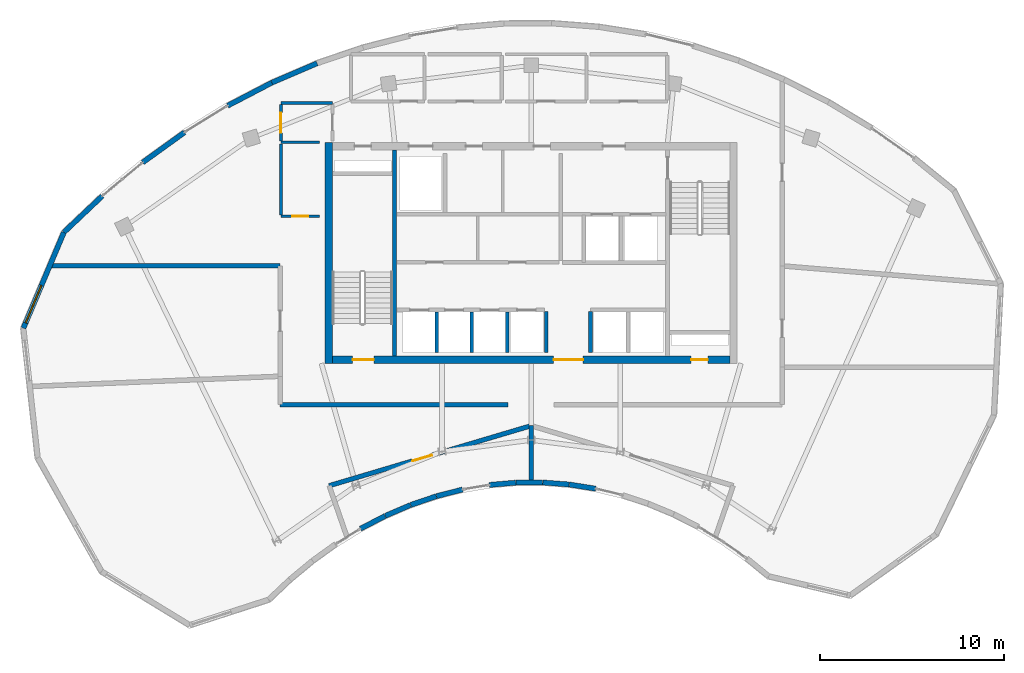
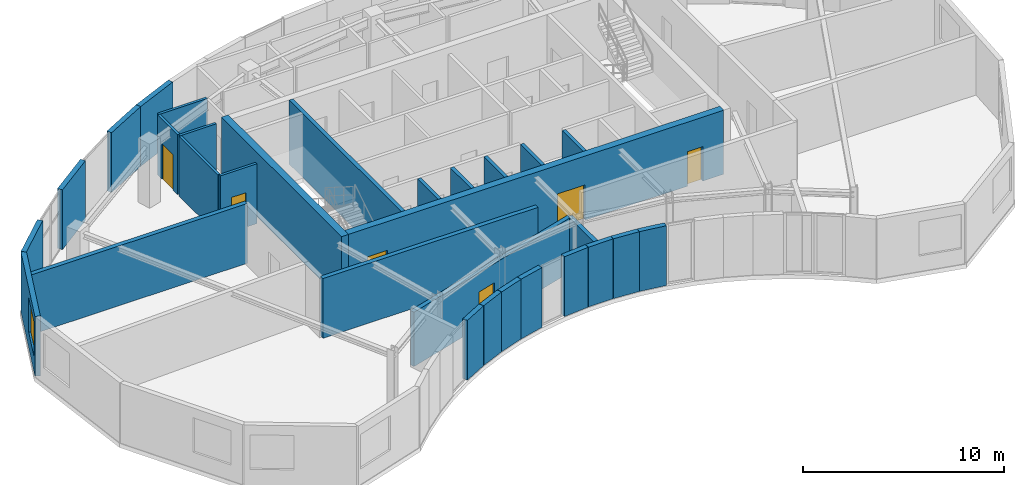
# One storey, part 5 of 9: 30 walls, 6 doors, 1 window, 7 openings.
"""IFC4 building model written with IfcOpenShell, lengths in metres."""

from ifc_helpers import new_model, si_unit, direction, frame, frame_2d, origin, place, context, subcontext, project, spatial, rectangle, extrude, source, transform, mapped, material, layer, layer_set, type_object, type_shapes, element, fill, save


model = new_model("IFC4")

# Units and contexts
model_context = context("Model", 3, precision=1e-05, world=origin(), true_north=direction((0.0, 1.0)))
body_context = subcontext(model_context, "Body", "Model", "MODEL_VIEW")
ifc_project = project(units=[si_unit("LENGTHUNIT", "METRE"), si_unit("AREAUNIT", "SQUARE_METRE"), si_unit("VOLUMEUNIT", "CUBIC_METRE"), si_unit("PLANEANGLEUNIT", "RADIAN"), si_unit("MASSUNIT", "GRAM", prefix="KILO")], contexts=[model_context])

# Site, building, storey
site_placement = place(None, origin())
site = spatial("IfcSite", under=ifc_project, at=site_placement, CompositionType="ELEMENT")
building_placement = place(site_placement, origin())
building = spatial("IfcBuilding", under=site, at=building_placement, Name="Breltana Convention Tower", CompositionType="ELEMENT")
storey_placement = place(building_placement, frame((0.0, 0.0, 299.10009765625)))
storey = spatial("IfcBuildingStorey", under=building, at=storey_placement, Name="L73", CompositionType="ELEMENT", Elevation=299.10009765625)

# Wall
ifc_material_1 = material(Name="Concrete C50/60", Category="concrete")
ifc_layer_1 = layer(ifc_material_1, 0.39990234375, Name="Concrete C50/60")
ifc_layer_set_1 = layer_set([ifc_layer_1], Name="Concrete C50/60")
wall_type_1 = type_object("IfcWallType", Name="SW-CORE-400", PredefinedType="SHEAR", material=ifc_layer_set_1)
shared_shape_1 = source(origin(), body_context, "Body", "SweptSolid", [
    extrude(rectangle(XDim=12.0, YDim=0.39990234375, at=frame_2d((6.0, 0.0))), origin(), (0.0, 0.0, 1.0), 3.89990234375),
])
wall_1_placement = place(storey_placement, frame((37.0, 60.199951171875, 0.0), z_axis=(0.0, 0.0, 1.0), x_axis=(0.0, 1.0, 0.0)))
element("IfcWall", 1, at=wall_1_placement, inside=storey, type_object=wall_type_1, Name="L73 West Core Shear Wall", PredefinedType="SHEAR", context=body_context, shape_type="MappedRepresentation", body=[
    mapped(shared_shape_1, transform((0.0, 0.0, 0.0), scale=1.0)),
])

# Wall, openings, doors
shared_shape_2 = source(origin(), body_context, "Body", "SweptSolid", [
    extrude(rectangle(XDim=21.60009765625, YDim=0.39990234375, at=frame_2d((10.800048828125, 0.0))), origin(), (0.0, 0.0, 1.0), 3.89990234375),
])
wall_2_placement = place(storey_placement, frame((37.199951171875, 60.39990234375, 0.0), z_axis=(0.0, 0.0, 1.0), x_axis=(1.0, 0.0, 0.0)))
wall_2 = element("IfcWall", 2, at=wall_2_placement, inside=storey, type_object=wall_type_1, Name="L73 South Core Shear Wall", PredefinedType="SHEAR", context=body_context, shape_type="MappedRepresentation", body=[
    mapped(shared_shape_2, transform((0.0, 0.0, 0.0), scale=1.0)),
])
opening_1_placement = place(wall_2_placement, frame((1.10009765625, 0.0, 0.0)))
opening_1 = element("IfcOpeningElement", 3, at=opening_1_placement, cuts=wall_2, Name="Opening D-11", PredefinedType="OPENING", context=body_context, shape_type="SweptSolid", body=[
    extrude(rectangle(XDim=1.14990234375, YDim=2.14990234375, at=frame_2d((0.574951171875, 1.074951171875))), frame((0.0, 0.2099609375, 0.0), z_axis=(0.0, -1.0, 0.0), x_axis=(1.0, 0.0, 0.0)), (0.0, 0.0, 1.0), 0.419921875),
])
opening_2_placement = place(wall_2_placement, frame((19.5, 0.0, 0.0)))
opening_2 = element("IfcOpeningElement", 4, at=opening_2_placement, cuts=wall_2, Name="Opening D-18", PredefinedType="OPENING", context=body_context, shape_type="SweptSolid", body=[
    extrude(rectangle(XDim=0.89990234375, YDim=2.10009765625, at=frame_2d((0.449951171875, 1.050048828125))), frame((0.0, 0.2099609375, 0.0), z_axis=(0.0, -1.0, 0.0), x_axis=(1.0, 0.0, 0.0)), (0.0, 0.0, 1.0), 0.419921875),
])
opening_3_placement = place(wall_2_placement, frame((12.02001953125, 0.0, 0.0)))
opening_3 = element("IfcOpeningElement", 5, at=opening_3_placement, cuts=wall_2, Name="Opening D-02", PredefinedType="OPENING", context=body_context, shape_type="SweptSolid", body=[
    extrude(rectangle(XDim=1.60009765625, YDim=2.14990234375, at=frame_2d((0.800048828125, 1.074951171875))), frame((0.0, 0.2099609375, 0.0), z_axis=(0.0, -1.0, 0.0), x_axis=(1.0, 0.0, 0.0)), (0.0, 0.0, 1.0), 0.419921875),
])
ifc_material_2 = material(Name="Steel Stair Exit Door", Category="steel")
door_type_1 = type_object("IfcDoorType", Name="DR-FD120-1150", OperationType="NOTDEFINED", PredefinedType="DOOR", material=ifc_material_2)
shared_shape_3 = source(origin(), body_context, "Body", "SweptSolid", [
    extrude(rectangle(XDim=1.14990234375, YDim=2.14990234375, at=frame_2d((0.574951171875, 1.074951171875))), frame((0.0, 0.02490234375, 0.0), z_axis=(0.0, -1.0, 0.0), x_axis=(1.0, 0.0, 0.0)), (0.0, 0.0, 1.0), 0.050048828125),
])
type_shapes(door_type_1, [shared_shape_3])
door_1_placement = place(opening_1_placement, origin())
door_1 = element("IfcDoor", 6, at=door_1_placement, inside=storey, type_object=door_type_1, Name="L73 interior door D-L73-ST1", OperationType="SINGLE_SWING_LEFT", OverallHeight=2.14990234375, OverallWidth=1.14990234375, PredefinedType="DOOR", context=body_context, shape_type="MappedRepresentation", body=[
    mapped(shared_shape_3, transform((0.0, 0.0, 0.0), scale=1.0)),
])
fill(opening_1, door_1)
ifc_material_3 = material(Name="Steel Riser Fire Door", Category="steel")
door_type_2 = type_object("IfcDoorType", Name="DR-FD60-900", OperationType="NOTDEFINED", PredefinedType="DOOR", material=ifc_material_3)
shared_shape_4 = source(origin(), body_context, "Body", "SweptSolid", [
    extrude(rectangle(XDim=0.89990234375, YDim=2.10009765625, at=frame_2d((0.449951171875, 1.050048828125))), frame((0.0, 0.02490234375, 0.0), z_axis=(0.0, -1.0, 0.0), x_axis=(1.0, 0.0, 0.0)), (0.0, 0.0, 1.0), 0.050048828125),
])
type_shapes(door_type_2, [shared_shape_4])
door_2_placement = place(opening_2_placement, origin())
door_2 = element("IfcDoor", 7, at=door_2_placement, inside=storey, type_object=door_type_2, Name="L73 Core Riser Access Door D-L73-RS2", OperationType="SINGLE_SWING_RIGHT", OverallHeight=2.10009765625, OverallWidth=0.89990234375, PredefinedType="DOOR", context=body_context, shape_type="MappedRepresentation", body=[
    mapped(shared_shape_4, transform((0.0, 0.0, 0.0), scale=1.0)),
])
fill(opening_2, door_2)
ifc_material_4 = material(Name="Steel Glazed Smoke-Control Door", Category="steel")
door_type_3 = type_object("IfcDoorType", Name="DR-DBL-FD90-1600", OperationType="DOUBLE_DOOR_SINGLE_SWING", PredefinedType="DOOR", material=ifc_material_4)
shared_shape_5 = source(origin(), body_context, "Body", "SweptSolid", [
    extrude(rectangle(XDim=1.60009765625, YDim=2.14990234375, at=frame_2d((0.800048828125, 1.074951171875))), frame((0.0, 0.02490234375, 0.0), z_axis=(0.0, -1.0, 0.0), x_axis=(1.0, 0.0, 0.0)), (0.0, 0.0, 1.0), 0.050048828125),
])
type_shapes(door_type_3, [shared_shape_5])
door_3_placement = place(opening_3_placement, origin())
door_3 = element("IfcDoor", 8, at=door_3_placement, inside=storey, type_object=door_type_3, Name="L73 interior door D-L73-LLB-S", OperationType="DOUBLE_DOOR_SINGLE_SWING", OverallHeight=2.14990234375, OverallWidth=1.60009765625, PredefinedType="DOOR", context=body_context, shape_type="MappedRepresentation", body=[
    mapped(shared_shape_5, transform((0.0, 0.0, 0.0), scale=1.0)),
])
fill(opening_3, door_3)

# Walls
shared_shape_6 = source(origin(), body_context, "Body", "SweptSolid", [
    extrude(rectangle(XDim=11.199951171875, YDim=0.219970703125, at=frame_2d((5.60009765625, 0.0))), origin(), (0.0, 0.0, 1.0), 3.89990234375),
])
wall_3_placement = place(storey_placement, frame((40.580078125, 60.60009765625, 0.0), z_axis=(0.0, 0.0, 1.0), x_axis=(0.0, 1.0, 0.0)))
element("IfcWall", 9, at=wall_3_placement, inside=storey, type_object=wall_type_1, Name="L73 Core West Stair Spine Wall", PredefinedType="SHEAR", context=body_context, shape_type="MappedRepresentation", body=[
    mapped(shared_shape_6, transform((0.0, 0.0, 0.0), scale=1.0)),
])
ifc_material_5 = material(Name="Limestone Buff Insulated Wall", Category="masonry")
ifc_layer_2 = layer(ifc_material_5, 0.280029296875, Name="Limestone Buff Insulated Wall")
ifc_layer_set_2 = layer_set([ifc_layer_2], Name="Limestone Buff Insulated Wall")
wall_type_2 = type_object("IfcWallType", Name="WL-EXT-NOSE-280", PredefinedType="SOLIDWALL", material=ifc_layer_set_2)
shared_shape_7 = source(origin(), body_context, "Body", "SweptSolid", [
    extrude(rectangle(XDim=1.446044921875, YDim=0.280029296875, at=frame_2d((0.72314453125, 0.0))), origin(), (0.0, 0.0, 1.0), 3.639892578125),
])
wall_4_placement = place(storey_placement, frame((51.509033203125, 53.38818359375, 0.0), z_axis=(0.0, 0.0, 1.0), x_axis=(-0.987650460941, 0.156673440642, 0.0)))
element("IfcWall", 10, at=wall_4_placement, inside=storey, type_object=wall_type_2, Name="L73 curved limestone nose wall E10", PredefinedType="SOLIDWALL", context=body_context, shape_type="MappedRepresentation", body=[
    mapped(shared_shape_7, transform((0.0, 0.0, 0.0), scale=1.0)),
])
shared_shape_8 = source(origin(), body_context, "Body", "SweptSolid", [
    extrude(rectangle(XDim=1.440185546875, YDim=0.280029296875, at=frame_2d((0.72021484375, 0.0))), origin(), (0.0, 0.0, 1.0), 3.639892578125),
])
wall_5_placement = place(storey_placement, frame((50.066162109375, 53.616455078125, 0.0), z_axis=(0.0, 0.0, 1.0), x_axis=(-0.997124860794, 0.075776064736, 0.0)))
element("IfcWall", 11, at=wall_5_placement, inside=storey, type_object=wall_type_2, Name="L73 curved limestone nose wall E11", PredefinedType="SOLIDWALL", context=body_context, shape_type="MappedRepresentation", body=[
    mapped(shared_shape_8, transform((0.0, 0.0, 0.0), scale=1.0)),
])
shared_shape_9 = source(origin(), body_context, "Body", "SweptSolid", [
    extrude(rectangle(XDim=1.4384765625, YDim=0.280029296875, at=frame_2d((0.71923828125, 0.0))), origin(), (0.0, 0.0, 1.0), 3.639892578125),
])
wall_6_placement = place(storey_placement, frame((48.615478515625, 53.726318359375, 0.0), z_axis=(0.0, 0.0, 1.0), x_axis=(-0.999982357135, -0.005940153174, 0.0)))
element("IfcWall", 12, at=wall_6_placement, inside=storey, type_object=wall_type_2, Name="L73 curved limestone nose wall E12", PredefinedType="SOLIDWALL", context=body_context, shape_type="MappedRepresentation", body=[
    mapped(shared_shape_9, transform((0.0, 0.0, 0.0), scale=1.0)),
])
shared_shape_10 = source(origin(), body_context, "Body", "SweptSolid", [
    extrude(rectangle(XDim=1.44091796875, YDim=0.280029296875, at=frame_2d((0.720458984375, 0.0))), origin(), (0.0, 0.0, 1.0), 3.639892578125),
])
wall_7_placement = place(storey_placement, frame((47.162353515625, 53.717041015625, 0.0), z_axis=(0.0, 0.0, 1.0), x_axis=(-0.99617032352, -0.087433898101, 0.0)))
element("IfcWall", 13, at=wall_7_placement, inside=storey, type_object=wall_type_2, Name="L73 curved limestone nose wall E13", PredefinedType="SOLIDWALL", context=body_context, shape_type="MappedRepresentation", body=[
    mapped(shared_shape_10, transform((0.0, 0.0, 0.0), scale=1.0)),
])
shared_shape_11 = source(origin(), body_context, "Body", "SweptSolid", [
    extrude(rectangle(XDim=1.4580078125, YDim=0.280029296875, at=frame_2d((0.72900390625, 0.0))), origin(), (0.0, 0.0, 1.0), 3.639892578125),
])
wall_8_placement = place(storey_placement, frame((44.271484375, 53.343017578125, 0.0), z_axis=(0.0, 0.0, 1.0), x_axis=(-0.969109544438, -0.246630677083, 0.0)))
element("IfcWall", 14, at=wall_8_placement, inside=storey, type_object=wall_type_2, Name="L73 curved limestone nose wall E14", PredefinedType="SOLIDWALL", context=body_context, shape_type="MappedRepresentation", body=[
    mapped(shared_shape_11, transform((0.0, 0.0, 0.0), scale=1.0)),
])
shared_shape_12 = source(origin(), body_context, "Body", "SweptSolid", [
    extrude(rectangle(XDim=1.47265625, YDim=0.280029296875, at=frame_2d((0.736328125, 0.0))), origin(), (0.0, 0.0, 1.0), 3.639892578125),
])
wall_9_placement = place(storey_placement, frame((42.8447265625, 52.9794921875, 0.0), z_axis=(0.0, 0.0, 1.0), x_axis=(-0.946641296917, -0.322289086026, 0.0)))
element("IfcWall", 15, at=wall_9_placement, inside=storey, type_object=wall_type_2, Name="L73 curved limestone nose wall E15", PredefinedType="SOLIDWALL", context=body_context, shape_type="MappedRepresentation", body=[
    mapped(shared_shape_12, transform((0.0, 0.0, 0.0), scale=1.0)),
])
shared_shape_13 = source(origin(), body_context, "Body", "SweptSolid", [
    extrude(rectangle(XDim=1.490478515625, YDim=0.280029296875, at=frame_2d((0.7451171875, 0.0))), origin(), (0.0, 0.0, 1.0), 3.639892578125),
])
wall_10_placement = place(storey_placement, frame((41.437744140625, 52.5, 0.0), z_axis=(0.0, 0.0, 1.0), x_axis=(-0.919009427656, -0.394235553799, 0.0)))
element("IfcWall", 16, at=wall_10_placement, inside=storey, type_object=wall_type_2, Name="L73 curved limestone nose wall E16", PredefinedType="SOLIDWALL", context=body_context, shape_type="MappedRepresentation", body=[
    mapped(shared_shape_13, transform((0.0, 0.0, 0.0), scale=1.0)),
])
shared_shape_14 = source(origin(), body_context, "Body", "SweptSolid", [
    extrude(rectangle(XDim=1.51171875, YDim=0.280029296875, at=frame_2d((0.755859375, 0.0))), origin(), (0.0, 0.0, 1.0), 3.639892578125),
])
wall_11_placement = place(storey_placement, frame((40.0556640625, 51.906494140625, 0.0), z_axis=(0.0, 0.0, 1.0), x_axis=(-0.886841011195, -0.462074691865, 0.0)))
element("IfcWall", 17, at=wall_11_placement, inside=storey, type_object=wall_type_2, Name="L73 curved limestone nose wall E17", PredefinedType="SOLIDWALL", context=body_context, shape_type="MappedRepresentation", body=[
    mapped(shared_shape_14, transform((0.0, 0.0, 0.0), scale=1.0)),
])

# Wall, opening, window
shared_shape_15 = source(origin(), body_context, "Body", "SweptSolid", [
    extrude(rectangle(XDim=5.655029296875, YDim=0.280029296875, at=frame_2d((2.82763671875, 0.0))), origin(), (0.0, 0.0, 1.0), 3.639892578125),
])
wall_12_placement = place(storey_placement, frame((20.40087890625, 62.11572265625, 0.0), z_axis=(0.0, 0.0, 1.0), x_axis=(0.389585063528, 0.920990487614, 0.0)))
wall_12 = element("IfcWall", 18, at=wall_12_placement, inside=storey, type_object=wall_type_2, Name="L73 curved limestone nose wall W6", PredefinedType="SOLIDWALL", context=body_context, shape_type="MappedRepresentation", body=[
    mapped(shared_shape_15, transform((0.0, 0.0, 0.0), scale=1.0)),
])
opening_4_placement = place(wall_12_placement, frame((0.313720703125, 0.0, 0.949951171875)))
opening_4 = element("IfcOpeningElement", 19, at=opening_4_placement, cuts=wall_12, Name="Opening W-03", PredefinedType="OPENING", context=body_context, shape_type="SweptSolid", body=[
    extrude(rectangle(XDim=2.199951171875, YDim=2.10009765625, at=frame_2d((1.10009765625, 1.050048828125))), frame((0.0, 0.14990234375, 0.0), z_axis=(0.0, -1.0, 0.0), x_axis=(1.0, 0.0, 0.0)), (0.0, 0.0, 1.0), 0.300048828125),
])
ifc_material_6 = material(Name="Glass Low-E Insulated Window", Category="glass")
window_type = type_object("IfcWindowType", Name="WN-NOSE-2200X2100", PartitioningType="TRIPLE_PANEL_VERTICAL", PredefinedType="WINDOW", material=ifc_material_6)
shared_shape_16 = source(origin(), body_context, "Body", "SweptSolid", [
    extrude(rectangle(XDim=2.199951171875, YDim=2.10009765625, at=frame_2d((1.10009765625, 1.050048828125))), frame((0.0, 0.030029296875, 0.0), z_axis=(0.0, -1.0, 0.0), x_axis=(1.0, 0.0, 0.0)), (0.0, 0.0, 1.0), 0.06005859375),
])
type_shapes(window_type, [shared_shape_16])
window_placement = place(opening_4_placement, origin())
window = element("IfcWindow", 20, at=window_placement, inside=storey, type_object=window_type, Name="L73 nose window W6", OverallHeight=2.10009765625, OverallWidth=2.199951171875, PartitioningType="TRIPLE_PANEL_VERTICAL", PredefinedType="WINDOW", context=body_context, shape_type="MappedRepresentation", body=[
    mapped(shared_shape_16, transform((0.0, 0.0, 0.0), scale=1.0)),
])
fill(opening_4, window)

# Walls
shared_shape_17 = source(origin(), body_context, "Body", "SweptSolid", [
    extrude(rectangle(XDim=2.87255859375, YDim=0.280029296875, at=frame_2d((1.436279296875, 0.0))), origin(), (0.0, 0.0, 1.0), 3.639892578125),
])
wall_13_placement = place(storey_placement, frame((22.60400390625, 67.323974609375, 0.0), z_axis=(0.0, 0.0, 1.0), x_axis=(0.72609560544, 0.687593754888, 0.0)))
element("IfcWall", 21, at=wall_13_placement, inside=storey, type_object=wall_type_2, Name="L73 curved limestone nose wall W7", PredefinedType="SOLIDWALL", context=body_context, shape_type="MappedRepresentation", body=[
    mapped(shared_shape_17, transform((0.0, 0.0, 0.0), scale=1.0)),
])
shared_shape_18 = source(origin(), body_context, "Body", "SweptSolid", [
    extrude(rectangle(XDim=2.8017578125, YDim=0.280029296875, at=frame_2d((1.40087890625, 0.0))), origin(), (0.0, 0.0, 1.0), 3.639892578125),
])
wall_14_placement = place(storey_placement, frame((26.88525390625, 71.11962890625, 0.0), z_axis=(0.0, 0.0, 1.0), x_axis=(0.811507896482, 0.584341453217, 0.0)))
element("IfcWall", 22, at=wall_14_placement, inside=storey, type_object=wall_type_2, Name="L73 curved limestone nose wall E20", PredefinedType="SOLIDWALL", context=body_context, shape_type="MappedRepresentation", body=[
    mapped(shared_shape_18, transform((0.0, 0.0, 0.0), scale=1.0)),
])
shared_shape_19 = source(origin(), body_context, "Body", "SweptSolid", [
    extrude(rectangle(XDim=2.71142578125, YDim=0.280029296875, at=frame_2d((1.355712890625, 0.0))), origin(), (0.0, 0.0, 1.0), 3.639892578125),
])
wall_15_placement = place(storey_placement, frame((31.50244140625, 74.20458984375, 0.0), z_axis=(0.0, 0.0, 1.0), x_axis=(0.886828760751, 0.462098202881, 0.0)))
element("IfcWall", 23, at=wall_15_placement, inside=storey, type_object=wall_type_2, Name="L73 curved limestone nose wall E21", PredefinedType="SOLIDWALL", context=body_context, shape_type="MappedRepresentation", body=[
    mapped(shared_shape_19, transform((0.0, 0.0, 0.0), scale=1.0)),
])
shared_shape_20 = source(origin(), body_context, "Body", "SweptSolid", [
    extrude(rectangle(XDim=2.67333984375, YDim=0.280029296875, at=frame_2d((1.336669921875, 0.0))), origin(), (0.0, 0.0, 1.0), 3.639892578125),
])
wall_16_placement = place(storey_placement, frame((33.906982421875, 75.45751953125, 0.0), z_axis=(0.0, 0.0, 1.0), x_axis=(0.919036345912, 0.394172798266, 0.0)))
element("IfcWall", 24, at=wall_16_placement, inside=storey, type_object=wall_type_2, Name="L73 curved limestone nose wall E22", PredefinedType="SOLIDWALL", context=body_context, shape_type="MappedRepresentation", body=[
    mapped(shared_shape_20, transform((0.0, 0.0, 0.0), scale=1.0)),
])
ifc_material_7 = material(Name="Autoclaved Aerated Concrete Block", Category="concrete")
ifc_layer_3 = layer(ifc_material_7, 0.199951171875, Name="Autoclaved Aerated Concrete Block")
ifc_layer_set_3 = layer_set([ifc_layer_3], Name="Autoclaved Aerated Concrete Block")
wall_type_3 = type_object("IfcWallType", Name="WL-SHAFT-200", PredefinedType="SOLIDWALL", material=ifc_layer_set_3)
shared_shape_21 = source(origin(), body_context, "Body", "SweptSolid", [
    extrude(rectangle(XDim=2.239990234375, YDim=0.199951171875, at=frame_2d((1.1201171875, 0.0))), origin(), (0.0, 0.0, 1.0), 3.639892578125),
])
for number, where, z_axis, x_axis, name in (
    (25, (48.820068359375, 60.780029296875, 0.0), (0.0, 0.0, 1.0), (0.0, 1.0, 0.0), "L73 interior partition W-L73-PORT-W"),
    (26, (51.219970703125, 60.780029296875, 0.0), (0.0, 0.0, 1.0), (0.0, 1.0, 0.0), "L73 interior partition W-L73-PORT-E"),
):
    element("IfcWall", number, at=place(storey_placement, frame(where, z_axis=z_axis, x_axis=x_axis)), inside=storey, type_object=wall_type_3, Name=name, PredefinedType="SOLIDWALL", context=body_context, shape_type="MappedRepresentation", body=[
        mapped(shared_shape_21, transform((0.0, 0.0, 0.0), scale=1.0)),
    ])
shared_shape_22 = source(origin(), body_context, "Body", "SweptSolid", [
    extrude(rectangle(XDim=2.199951171875, YDim=0.199951171875, at=frame_2d((1.10009765625, 0.0))), origin(), (0.0, 0.0, 1.0), 3.639892578125),
])
for number, where, z_axis, x_axis, name in (
    (27, (42.8701171875, 60.800048828125, 0.0), (0.0, 0.0, 1.0), (0.0, 1.0, 0.0), "L73 interior partition W-L73-SH-S-DIV1"),
    (28, (44.77001953125, 60.800048828125, 0.0), (0.0, 0.0, 1.0), (0.0, 1.0, 0.0), "L73 interior partition W-L73-SH-S-DIV2"),
    (29, (46.699951171875, 60.800048828125, 0.0), (0.0, 0.0, 1.0), (0.0, 1.0, 0.0), "L73 interior partition W-L73-SH-S-DIV3"),
):
    element("IfcWall", number, at=place(storey_placement, frame(where, z_axis=z_axis, x_axis=x_axis)), inside=storey, type_object=wall_type_3, Name=name, PredefinedType="SOLIDWALL", context=body_context, shape_type="MappedRepresentation", body=[
        mapped(shared_shape_22, transform((0.0, 0.0, 0.0), scale=1.0)),
    ])
ifc_material_8 = material(Name="Gypsum Acoustic Drywall Partition")
ifc_layer_4 = layer(ifc_material_8, 0.14990234375, Name="Gypsum Acoustic Drywall Partition")
ifc_layer_set_4 = layer_set([ifc_layer_4], Name="Gypsum Acoustic Drywall Partition")
wall_type_4 = type_object("IfcWallType", Name="WL-PART-150", PredefinedType="PARTITIONING", material=ifc_layer_set_4)
shared_shape_23 = source(origin(), body_context, "Body", "SweptSolid", [
    extrude(rectangle(XDim=2.10009765625, YDim=0.14990234375, at=frame_2d((1.050048828125, 0.0))), origin(), (0.0, 0.0, 1.0), 3.639892578125),
])
wall_17_placement = place(storey_placement, frame((34.39990234375, 72.219970703125, 0.0), z_axis=(0.0, 0.0, 1.0), x_axis=(1.0, 0.0, 0.0)))
element("IfcWall", 30, at=wall_17_placement, inside=storey, type_object=wall_type_4, Name="L73 interior partition W-L73-CRNW-S", PredefinedType="PARTITIONING", context=body_context, shape_type="MappedRepresentation", body=[
    mapped(shared_shape_23, transform((0.0, 0.0, 0.0), scale=1.0)),
])

# Wall, opening, door
wall_18_placement = place(storey_placement, frame((34.39990234375, 68.199951171875, 0.0), z_axis=(0.0, 0.0, 1.0), x_axis=(1.0, 0.0, 0.0)))
wall_18 = element("IfcWall", 31, at=wall_18_placement, inside=storey, type_object=wall_type_4, Name="L73 interior partition W-L73-CRSW-S", PredefinedType="PARTITIONING", context=body_context, shape_type="MappedRepresentation", body=[
    mapped(shared_shape_23, transform((0.0, 0.0, 0.0), scale=1.0)),
])
opening_5_placement = place(wall_18_placement, frame((0.625, 0.0, 0.0)))
opening_5 = element("IfcOpeningElement", 32, at=opening_5_placement, cuts=wall_18, Name="Opening D-20", PredefinedType="OPENING", context=body_context, shape_type="SweptSolid", body=[
    extrude(rectangle(XDim=0.85009765625, YDim=2.10009765625, at=frame_2d((0.425048828125, 1.050048828125))), frame((0.0, 0.0849609375, 0.0), z_axis=(0.0, -1.0, 0.0), x_axis=(1.0, 0.0, 0.0)), (0.0, 0.0, 1.0), 0.169921875),
])
ifc_material_9 = material(Name="Steel Closet Fire Door", Category="steel")
door_type_4 = type_object("IfcDoorType", Name="DR-FD60-850", OperationType="NOTDEFINED", PredefinedType="DOOR", material=ifc_material_9)
shared_shape_24 = source(origin(), body_context, "Body", "SweptSolid", [
    extrude(rectangle(XDim=0.85009765625, YDim=2.10009765625, at=frame_2d((0.425048828125, 1.050048828125))), frame((0.0, 0.02490234375, 0.0), z_axis=(0.0, -1.0, 0.0), x_axis=(1.0, 0.0, 0.0)), (0.0, 0.0, 1.0), 0.050048828125),
])
type_shapes(door_type_4, [shared_shape_24])
door_4_placement = place(opening_5_placement, origin())
door_4 = element("IfcDoor", 33, at=door_4_placement, inside=storey, type_object=door_type_4, Name="L73 interior door D-L73-CRSW", OperationType="SINGLE_SWING_RIGHT", OverallHeight=2.10009765625, OverallWidth=0.85009765625, PredefinedType="DOOR", context=body_context, shape_type="MappedRepresentation", body=[
    mapped(shared_shape_24, transform((0.0, 0.0, 0.0), scale=1.0)),
])
fill(opening_5, door_4)

# Wall
shared_shape_25 = source(origin(), body_context, "Body", "SweptSolid", [
    extrude(rectangle(XDim=2.800048828125, YDim=0.14990234375, at=frame_2d((1.39990234375, 0.0))), origin(), (0.0, 0.0, 1.0), 3.639892578125),
])
wall_19_placement = place(storey_placement, frame((34.39990234375, 74.35009765625, 0.0), z_axis=(0.0, 0.0, 1.0), x_axis=(1.0, 0.0, 0.0)))
element("IfcWall", 34, at=wall_19_placement, inside=storey, type_object=wall_type_4, Name="L73 interior partition W-L73-CRNW-N", PredefinedType="PARTITIONING", context=body_context, shape_type="MappedRepresentation", body=[
    mapped(shared_shape_25, transform((0.0, 0.0, 0.0), scale=1.0)),
])

# Wall, opening, door
shared_shape_26 = source(origin(), body_context, "Body", "SweptSolid", [
    extrude(rectangle(XDim=1.994873046875, YDim=0.14990234375, at=frame_2d((0.99755859375, 0.0))), origin(), (0.0, 0.0, 1.0), 3.639892578125),
])
wall_20_placement = place(storey_placement, frame((34.39990234375, 72.28759765625, 0.0), z_axis=(0.0, 0.0, 1.0), x_axis=(0.0, 1.0, 0.0)))
wall_20 = element("IfcWall", 35, at=wall_20_placement, inside=storey, type_object=wall_type_4, Name="L73 interior partition W-L73-CRNW-W", PredefinedType="PARTITIONING", context=body_context, shape_type="MappedRepresentation", body=[
    mapped(shared_shape_26, transform((0.0, 0.0, 0.0), scale=1.0)),
])
opening_6_placement = place(wall_20_placement, frame((0.447509765625, 0.0, 0.0)))
opening_6 = element("IfcOpeningElement", 36, at=opening_6_placement, cuts=wall_20, Name="Opening D-12", PredefinedType="OPENING", context=body_context, shape_type="SweptSolid", body=[
    extrude(rectangle(XDim=1.10009765625, YDim=2.14990234375, at=frame_2d((0.550048828125, 1.074951171875))), frame((0.0, 0.0849609375, 0.0), z_axis=(0.0, -1.0, 0.0), x_axis=(1.0, 0.0, 0.0)), (0.0, 0.0, 1.0), 0.169921875),
])
ifc_material_10 = material(Name="Timber Oak Acoustic Door", Category="wood")
door_type_5 = type_object("IfcDoorType", Name="DR-INT-1100", OperationType="NOTDEFINED", PredefinedType="DOOR", material=ifc_material_10)
shared_shape_27 = source(origin(), body_context, "Body", "SweptSolid", [
    extrude(rectangle(XDim=1.10009765625, YDim=2.14990234375, at=frame_2d((0.550048828125, 1.074951171875))), frame((0.0, 0.02490234375, 0.0), z_axis=(0.0, -1.0, 0.0), x_axis=(1.0, 0.0, 0.0)), (0.0, 0.0, 1.0), 0.050048828125),
])
type_shapes(door_type_5, [shared_shape_27])
door_5_placement = place(opening_6_placement, origin())
door_5 = element("IfcDoor", 37, at=door_5_placement, inside=storey, type_object=door_type_5, Name="L73 interior door D-L73-EXW3", OperationType="SINGLE_SWING_LEFT", OverallHeight=2.14990234375, OverallWidth=1.10009765625, PredefinedType="DOOR", context=body_context, shape_type="MappedRepresentation", body=[
    mapped(shared_shape_27, transform((0.0, 0.0, 0.0), scale=1.0)),
])
fill(opening_6, door_5)

# Wall
shared_shape_28 = source(origin(), body_context, "Body", "SweptSolid", [
    extrude(rectangle(XDim=3.844970703125, YDim=0.14990234375, at=frame_2d((1.92236328125, 0.0))), origin(), (0.0, 0.0, 1.0), 3.639892578125),
])
wall_21_placement = place(storey_placement, frame((34.39990234375, 68.267578125, 0.0), z_axis=(0.0, 0.0, 1.0), x_axis=(0.0, 1.0, 0.0)))
element("IfcWall", 38, at=wall_21_placement, inside=storey, type_object=wall_type_4, Name="L73 interior partition W-L73-CRSW-W", PredefinedType="PARTITIONING", context=body_context, shape_type="MappedRepresentation", body=[
    mapped(shared_shape_28, transform((0.0, 0.0, 0.0), scale=1.0)),
])

# Wall, opening, door
ifc_material_11 = material(Name="Gypsum Acoustic Double Stud Wall")
ifc_layer_5 = layer(ifc_material_11, 0.25, Name="Gypsum Acoustic Double Stud Wall")
ifc_layer_set_5 = layer_set([ifc_layer_5], Name="Gypsum Acoustic Double Stud Wall")
wall_type_5 = type_object("IfcWallType", Name="WL-ACOUSTIC-250", PredefinedType="PARTITIONING", material=ifc_layer_set_5)
shared_shape_29 = source(origin(), body_context, "Body", "SweptSolid", [
    extrude(rectangle(XDim=11.453857421875, YDim=0.25, at=frame_2d((5.72705078125, 0.0))), origin(), (0.0, 0.0, 1.0), 3.31396484375),
])
wall_22_placement = place(storey_placement, frame((37.0205078125, 53.551513671875, 0.0), z_axis=(0.0, 0.0, 1.0), x_axis=(0.958594874645, 0.284773359541, 0.0)))
wall_22 = element("IfcWall", 39, at=wall_22_placement, inside=storey, type_object=wall_type_5, Name="L73 interior partition W-L73-ES1-COR", PredefinedType="PARTITIONING", context=body_context, shape_type="MappedRepresentation", body=[
    mapped(shared_shape_29, transform((0.0, 0.0, 0.0), scale=1.0)),
])
opening_7_placement = place(wall_22_placement, frame((4.726806640625, 0.0, 0.0)))
opening_7 = element("IfcOpeningElement", 40, at=opening_7_placement, cuts=wall_22, Name="Opening D-12", PredefinedType="OPENING", context=body_context, shape_type="SweptSolid", body=[
    extrude(rectangle(XDim=1.10009765625, YDim=2.14990234375, at=frame_2d((0.550048828125, 1.074951171875))), frame((0.0, 0.135009765625, 0.0), z_axis=(0.0, -1.0, 0.0), x_axis=(1.0, 0.0, 0.0)), (0.0, 0.0, 1.0), 0.27001953125),
])
door_6_placement = place(opening_7_placement, origin())
door_6 = element("IfcDoor", 41, at=door_6_placement, inside=storey, type_object=door_type_5, Name="L73 interior door D-L73-ES1", OperationType="SINGLE_SWING_LEFT", OverallHeight=2.14990234375, OverallWidth=1.10009765625, PredefinedType="DOOR", context=body_context, shape_type="MappedRepresentation", body=[
    mapped(shared_shape_27, transform((0.0, 0.0, 0.0), scale=1.0)),
])
fill(opening_7, door_6)

# Walls
shared_shape_30 = source(origin(), body_context, "Body", "SweptSolid", [
    extrude(rectangle(XDim=3.08056640625, YDim=0.25, at=frame_2d((1.540283203125, 0.0))), origin(), (0.0, 0.0, 1.0), 3.31396484375),
])
wall_23_placement = place(storey_placement, frame((48.0, 53.732666015625, 0.0), z_axis=(0.0, 0.0, 1.0), x_axis=(0.0, 1.0, 0.0)))
element("IfcWall", 42, at=wall_23_placement, inside=storey, type_object=wall_type_5, Name="L73 interior partition W-L73-ES1-RB", PredefinedType="PARTITIONING", context=body_context, shape_type="MappedRepresentation", body=[
    mapped(shared_shape_30, transform((0.0, 0.0, 0.0), scale=1.0)),
])
shared_shape_31 = source(origin(), body_context, "Body", "SweptSolid", [
    extrude(rectangle(XDim=12.389892578125, YDim=0.25, at=frame_2d((6.19482421875, 0.0))), origin(), (0.0, 0.0, 1.0), 3.639892578125),
])
wall_24_placement = place(storey_placement, frame((34.360107421875, 57.9599609375, 0.0), z_axis=(0.0, 0.0, 1.0), x_axis=(1.0, 0.0, 0.0)))
element("IfcWall", 43, at=wall_24_placement, inside=storey, type_object=wall_type_5, Name="L73 interior partition W-L73-Z45-CSW", PredefinedType="PARTITIONING", context=body_context, shape_type="MappedRepresentation", body=[
    mapped(shared_shape_31, transform((0.0, 0.0, 0.0), scale=1.0)),
])
shared_shape_32 = source(origin(), body_context, "Body", "SweptSolid", [
    extrude(rectangle(XDim=12.5166015625, YDim=0.25, at=frame_2d((6.25830078125, 0.0))), origin(), (0.0, 0.0, 1.0), 3.639892578125),
])
wall_25_placement = place(storey_placement, frame((21.843505859375, 65.5, 0.0), z_axis=(0.0, 0.0, 1.0), x_axis=(1.0, 0.0, 0.0)))
element("IfcWall", 44, at=wall_25_placement, inside=storey, type_object=wall_type_5, Name="L73 interior partition W-L73-EXW2-N", PredefinedType="PARTITIONING", context=body_context, shape_type="MappedRepresentation", body=[
    mapped(shared_shape_32, transform((0.0, 0.0, 0.0), scale=1.0)),
])

save(model, "model.ifc")
